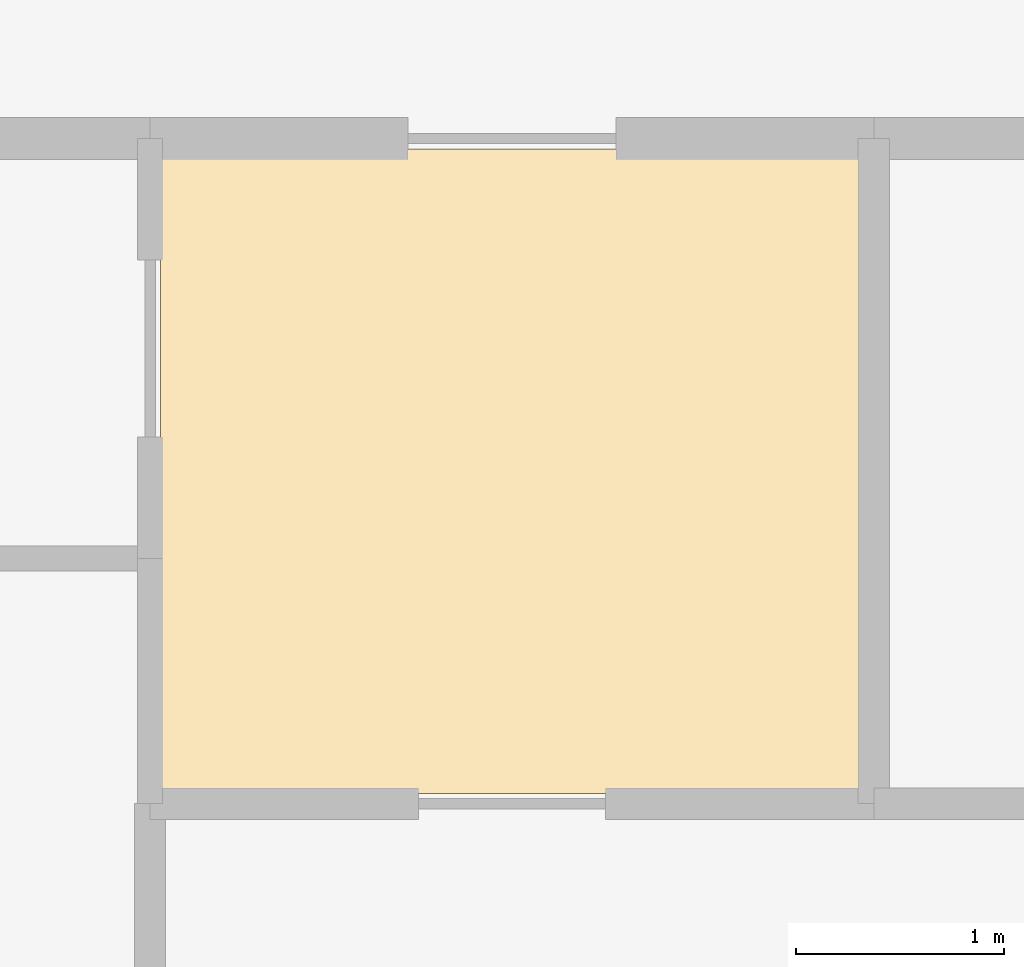
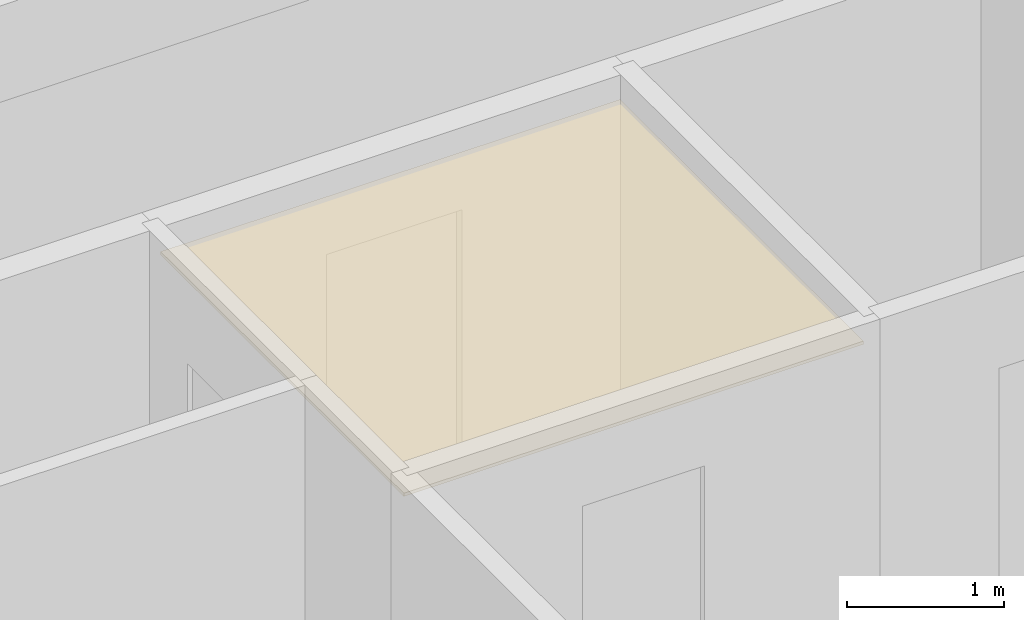
# One storey, part 11 of 16: 1 covering.
"""IFC4 building model written with IfcOpenShell, lengths in metres."""

from ifc_helpers import new_model, si_unit, direction, frame, origin, place, context, subcontext, project, spatial, polyline, outline, extrude, material, layer, layer_set, type_object, element, save


model = new_model("IFC4")

# Units and contexts
model_context = context("Model", 3, precision=1e-05, world=origin(), true_north=direction((0.0, 1.0)))
body_context = subcontext(model_context, "Body", "Model", "MODEL_VIEW")
ifc_project = project(units=[si_unit("LENGTHUNIT", "METRE"), si_unit("AREAUNIT", "SQUARE_METRE"), si_unit("VOLUMEUNIT", "CUBIC_METRE"), si_unit("PLANEANGLEUNIT", "RADIAN"), si_unit("MASSUNIT", "GRAM", prefix="KILO")], contexts=[model_context])

# Site, building, storey
site_placement = place(None, origin())
site = spatial("IfcSite", under=ifc_project, at=site_placement, CompositionType="ELEMENT")
building_placement = place(site_placement, origin())
building = spatial("IfcBuilding", under=site, at=building_placement, Name="Saelheon Loggia Tower", CompositionType="ELEMENT")
storey_placement = place(building_placement, frame((0.0, 0.0, 55.39990234375)))
storey = spatial("IfcBuildingStorey", under=building, at=storey_placement, Name="L17", CompositionType="ELEMENT", Elevation=55.39990234375)

# Covering
ifc_material = material(Name="Mineral-Fibre Acoustic Ceiling Board", Category="gypsum")
ifc_layer = layer(ifc_material, 0.02490234375)
ifc_layer_set = layer_set([ifc_layer], Name="Mineral-Fibre Acoustic Ceiling Board")
covering_type = type_object("IfcCoveringType", Name="Cov_Ceiling_Acoustic", PredefinedType="CEILING", material=ifc_layer_set)
covering_placement = place(storey_placement, frame((0.0, 0.0, 2.53515625)))
element("IfcCovering", 1, at=covering_placement, inside=storey, type_object=covering_type, Name="L17 Acoustic Suspended Ceiling", PredefinedType="CEILING", context=body_context, shape_type="SweptSolid", body=[
    extrude(outline(polyline([(19.2119140625, 11.800048828125), (22.593017578125, 11.800048828125), (22.593017578125, 14.89990234375), (19.2119140625, 14.89990234375), (19.2119140625, 11.800048828125)])), origin(), (0.0, 0.0, 1.0), 0.02490234375),
])

save(model, "model.ifc")
